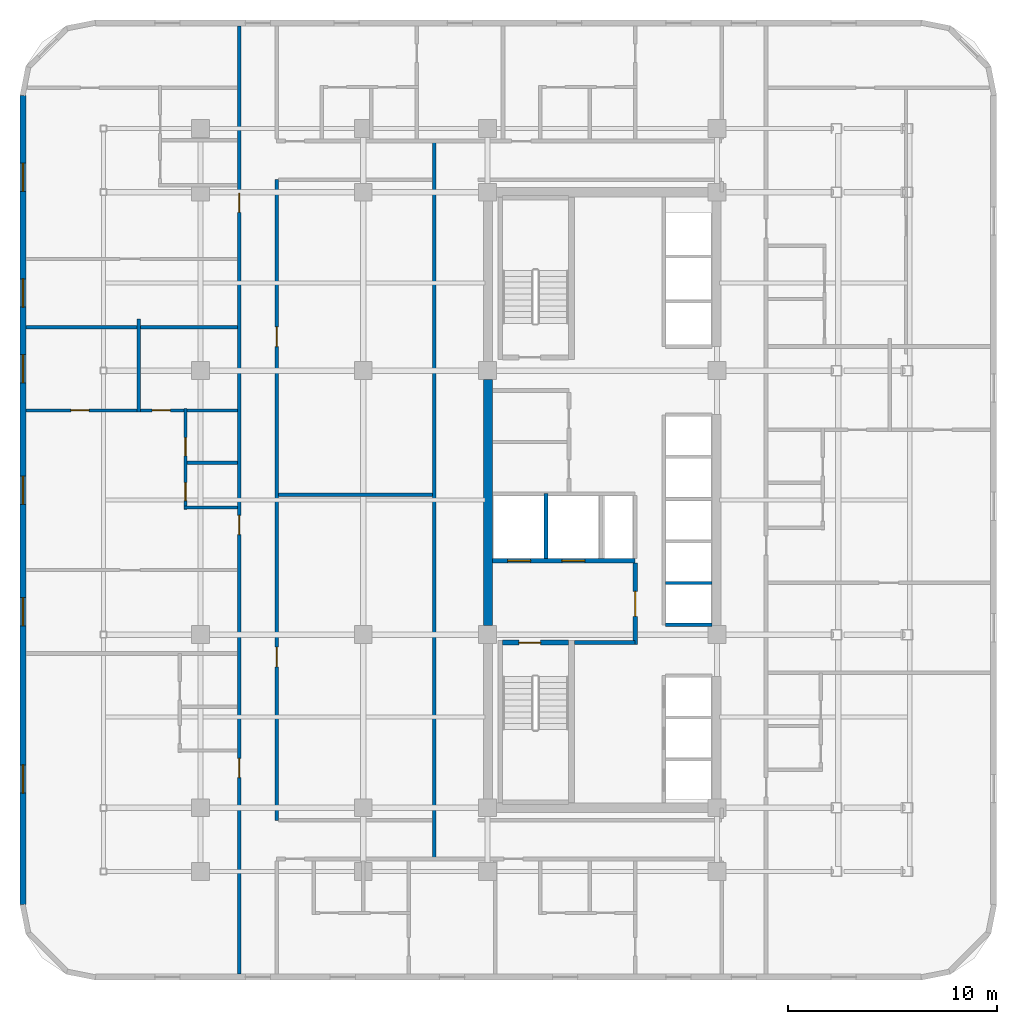
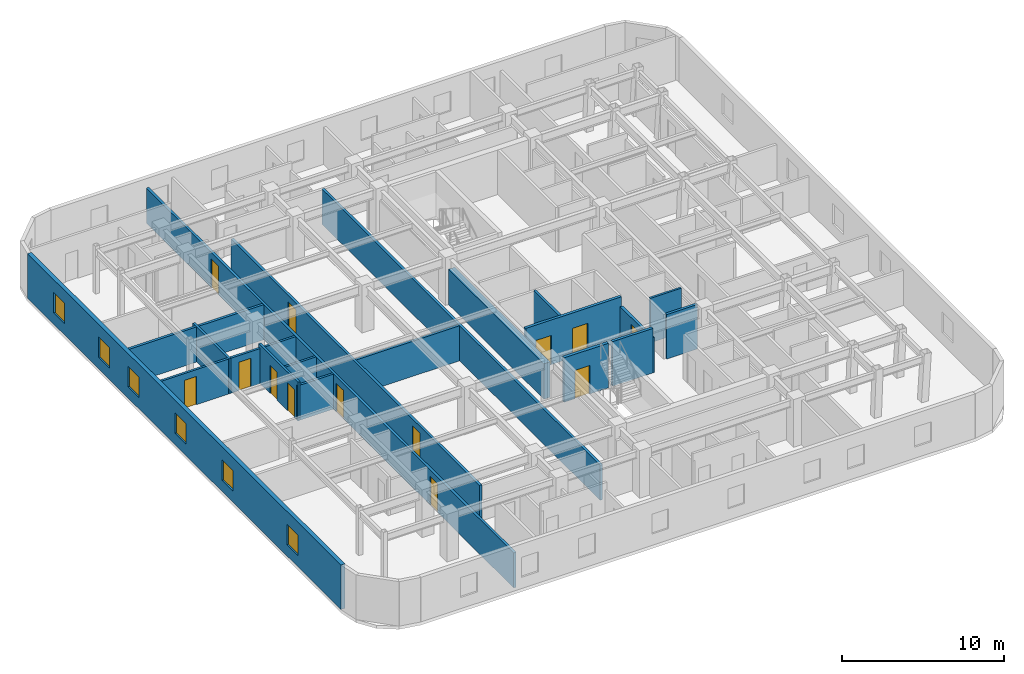
# One storey, part 7 of 12: 19 walls, 13 doors, 6 windows, 19 openings.
"""IFC4 building model written with IfcOpenShell, lengths in metres."""

import ifcopenshell
import ifcopenshell.guid

model = None  # the IFC model being written
_history = None  # IfcOwnerHistory: only IFC2X3 demands one
_inside = {}  # id of a spatial element -> (the spatial element, [elements in it])
_under = {}  # id of a project, library or spatial element -> (it, [spatial elements below it])
_declared = {}  # id of a project -> (the project, [libraries it declares])
_typed = {}  # id of a type object -> (the type object, [elements of that type])
_made_of = {}  # id of a material, layer set ... -> (it, [elements and type objects made of it])


def new_model(schema):
    """Start an empty IFC model of exactly this schema.

    Asked for "IFC4X3", IfcOpenShell would pick the latest addendum, in which some entities
    have other attributes; the version numbers below select the first issue.
    IFC2X3 requires an IfcOwnerHistory on every rooted entity: one is made here for all.
    """
    global model, _history
    if schema == "IFC4X3":
        model = ifcopenshell.file(schema_version=(4, 3, 0, 0))
    else:
        model = ifcopenshell.file(schema=schema)
    _inside.clear()
    _under.clear()
    _declared.clear()
    _typed.clear()
    _made_of.clear()
    _history = None
    if model.schema == "IFC2X3":
        org = make("IfcOrganization", Name="unknown")
        user = make(
            "IfcPersonAndOrganization",
            ThePerson=make("IfcPerson", FamilyName="unknown"),
            TheOrganization=org,
        )
        app = make(
            "IfcApplication",
            ApplicationDeveloper=org,
            Version="unknown",
            ApplicationFullName="unknown",
            ApplicationIdentifier="unknown",
        )
        _history = make(
            "IfcOwnerHistory",
            OwningUser=user,
            OwningApplication=app,
            ChangeAction="ADDED",
            CreationDate=0,
        )
    return model


def make(cls, **values):
    """One entity of the class cls with the attributes given. An attribute that is None is left unset."""
    return model.create_entity(
        cls, **{name: value for name, value in values.items() if value is not None}
    )


def rooted(cls, **values):
    """An entity with a GlobalId (a new one), such as an element, a storey or a relation."""
    return make(cls, GlobalId=ifcopenshell.guid.new(), OwnerHistory=_history, **values)


def si_unit(unit_type, name, prefix=None):
    """IfcSIUnit, for example si_unit("LENGTHUNIT", "METRE", prefix="MILLI")."""
    return make("IfcSIUnit", UnitType=unit_type, Prefix=prefix, Name=name)


def assignment(units):
    """IfcUnitAssignment: the units of a project."""
    return None if units is None else make("IfcUnitAssignment", Units=units)


def point(xyz):
    """IfcCartesianPoint."""
    return None if xyz is None else make("IfcCartesianPoint", Coordinates=xyz)


def direction(xyz):
    """IfcDirection."""
    return None if xyz is None else make("IfcDirection", DirectionRatios=xyz)


def frame(location, z_axis=None, x_axis=None):
    """IfcAxis2Placement3D, a coordinate frame: its origin and axes. An axis left out is left unset."""
    return make(
        "IfcAxis2Placement3D",
        Location=point(location),
        Axis=direction(z_axis),
        RefDirection=direction(x_axis),
    )


def frame_2d(location, x_axis=None):
    """IfcAxis2Placement2D, a coordinate frame in the plane: its origin and x axis."""
    return make(
        "IfcAxis2Placement2D", Location=point(location), RefDirection=direction(x_axis)
    )


def origin():
    """The frame at (0, 0, 0) with its axes left unset."""
    return frame((0.0, 0.0, 0.0))


def place(relative_to, where):
    """IfcLocalPlacement: puts the frame where relative to a parent placement (None: the world)."""
    return make(
        "IfcLocalPlacement", PlacementRelTo=relative_to, RelativePlacement=where
    )


def context(
    kind, dimensions, precision=None, world=None, true_north=None, identifier=None
):
    """IfcGeometricRepresentationContext, for example the 3D "Model" context."""
    return make(
        "IfcGeometricRepresentationContext",
        ContextIdentifier=identifier,
        ContextType=kind,
        CoordinateSpaceDimension=dimensions,
        Precision=precision,
        WorldCoordinateSystem=world,
        TrueNorth=true_north,
    )


def subcontext(parent, identifier, kind, view, scale=None):
    """IfcGeometricRepresentationSubContext, for example "Body" below "Model"."""
    return make(
        "IfcGeometricRepresentationSubContext",
        ContextIdentifier=identifier,
        ContextType=kind,
        ParentContext=parent,
        TargetScale=scale,
        TargetView=view,
    )


def project(units=None, contexts=None):
    """IfcProject with its units and contexts."""
    return rooted(
        "IfcProject",
        Name="project",
        RepresentationContexts=contexts,
        UnitsInContext=assignment(units),
    )


def spatial(cls, under=None, at=None, **own):
    """A site, building, storey or space (cls), placed at a placement, below another one or the project."""
    s = rooted(cls, ObjectPlacement=at, **own)
    if under is not None:
        _under.setdefault(under.id(), (under, []))[1].append(s)
    return s


def profile(cls, at=None, kind="AREA", **sizes):
    """A parametric profile (cls). Its sizes go by their IFC names, for example OverallWidth=200.0."""
    return make(cls, ProfileType=kind, Position=at, **sizes)


def rectangle(**sizes):
    """IfcRectangleProfileDef."""
    return profile("IfcRectangleProfileDef", **sizes)


def extrude(swept, where, along, depth):
    """IfcExtrudedAreaSolid: the profile swept, set in the frame where, extruded along a direction by depth."""
    return make(
        "IfcExtrudedAreaSolid",
        SweptArea=swept,
        Position=where,
        ExtrudedDirection=direction(along),
        Depth=depth,
    )


def shape(context_of_items, identifier, shape_type, items):
    """IfcShapeRepresentation: the items that make up one representation, for example the "Body"."""
    return make(
        "IfcShapeRepresentation",
        ContextOfItems=context_of_items,
        RepresentationIdentifier=identifier,
        RepresentationType=shape_type,
        Items=items,
    )


def material(Name=None, Category=None):
    """IfcMaterial."""
    return make("IfcMaterial", Name=Name, Category=Category)


def layer(
    of_material, thickness, ventilated=None, Name=None, Category=None, Priority=None
):
    """IfcMaterialLayer: one layer of a wall or slab, of a material (None: an air gap)."""
    return make(
        "IfcMaterialLayer",
        Material=of_material,
        LayerThickness=thickness,
        IsVentilated=ventilated,
        Name=Name,
        Category=Category,
        Priority=Priority,
    )


def layer_set(layers, Name=None):
    """IfcMaterialLayerSet."""
    return make("IfcMaterialLayerSet", MaterialLayers=layers, LayerSetName=Name)


def made_of(thing, what):
    """Note that an element or type object is made of a material, layer set ...; save() writes the relation."""
    if what is not None:
        _made_of.setdefault(what.id(), (what, []))[1].append(thing)
    return thing


def type_object(cls, material=None, **own):
    """A type object (cls), such as IfcWallType, which elements share."""
    return made_of(rooted(cls, **own), material)


def element(
    cls,
    number,
    at=None,
    inside=None,
    cuts=None,
    type_object=None,
    material=None,
    context=None,
    identifier="Body",
    shape_type=None,
    held_by="IfcProductDefinitionShape",
    body=None,
    shapes=None,
    **own,
):
    """One element of the class cls, such as IfcWall. Its Tag is "e" and its number.

    at: its placement. inside: the storey or other place that contains it. cuts: it is an
    opening in that element (IfcRelVoidsElement). A single representation is given by context,
    identifier, shape_type and body (its items); several are given by shapes. held_by: the class
    of the entity that holds the representations. save() writes the other relations.
    """
    e = rooted(cls, Tag="e%d" % number, ObjectPlacement=at, **own)
    if body is not None:
        shapes = [shape(context, identifier, shape_type, body)]
    if shapes is not None:
        e.Representation = make(held_by, Representations=shapes)
    if inside is not None:
        _inside.setdefault(inside.id(), (inside, []))[1].append(e)
    if cuts is not None:
        rooted(
            "IfcRelVoidsElement", RelatingBuildingElement=cuts, RelatedOpeningElement=e
        )
    if type_object is not None:
        _typed.setdefault(type_object.id(), (type_object, []))[1].append(e)
    return made_of(e, material)


def fill(opening, filler):
    """IfcRelFillsElement: the door or window that sits in an opening."""
    return rooted(
        "IfcRelFillsElement",
        RelatingOpeningElement=opening,
        RelatedBuildingElement=filler,
    )


def aggregate(whole, parts):
    """IfcRelAggregates: a whole, such as a stair, and the parts it consists of."""
    return rooted("IfcRelAggregates", RelatingObject=whole, RelatedObjects=parts)


def save(model, path):
    """Write the relations noted so far, then the file.

    IfcRelAggregates (storeys below a building ...), IfcRelContainedInSpatialStructure (elements
    in a storey), IfcRelDefinesByType, IfcRelAssociatesMaterial and IfcRelDeclares: one each for
    every whole, place, type object, material and project.
    """
    for whole, parts in _under.values():
        aggregate(whole, parts)
    for where, things in _inside.values():
        rooted(
            "IfcRelContainedInSpatialStructure",
            RelatedElements=things,
            RelatingStructure=where,
        )
    for kind, things in _typed.values():
        rooted("IfcRelDefinesByType", RelatedObjects=things, RelatingType=kind)
    for what, things in _made_of.values():
        rooted("IfcRelAssociatesMaterial", RelatedObjects=things, RelatingMaterial=what)
    for by, libraries in _declared.values():
        rooted("IfcRelDeclares", RelatingContext=by, RelatedDefinitions=libraries)
    model.write(path)


model = new_model("IFC4")

# Units and contexts
model_context = context("Model", 3, precision=1e-05, world=origin(), true_north=direction((0.0, 1.0)))
body_context = subcontext(model_context, "Body", "Model", "MODEL_VIEW")
ifc_project = project(units=[si_unit("LENGTHUNIT", "METRE"), si_unit("AREAUNIT", "SQUARE_METRE"), si_unit("VOLUMEUNIT", "CUBIC_METRE"), si_unit("PLANEANGLEUNIT", "RADIAN"), si_unit("MASSUNIT", "GRAM", prefix="KILO")], contexts=[model_context])

# Site, building, storey
site_placement = place(None, origin())
site = spatial("IfcSite", under=ifc_project, at=site_placement, CompositionType="ELEMENT")
building_placement = place(site_placement, origin())
building = spatial("IfcBuilding", under=site, at=building_placement, Name="Ochreholt Gables", CompositionType="ELEMENT")
storey_placement = place(building_placement, frame((0.0, 0.0, 27.60009765625)))
storey = spatial("IfcBuildingStorey", under=building, at=storey_placement, Name="L06", CompositionType="ELEMENT", Elevation=27.60009765625)

# Wall
ifc_material_1 = material(Name="Concrete 60 MPa", Category="concrete")
ifc_layer_1 = layer(ifc_material_1, 0.449951171875, Name="Concrete 60 MPa")
ifc_layer_set_1 = layer_set([ifc_layer_1], Name="Concrete 60 MPa")
wall_type_1 = type_object("IfcWallType", Name="WALL-CSW-450", PredefinedType="SHEAR", material=ifc_layer_set_1)
wall_1_placement = place(storey_placement, frame((24.22509765625, 17.97509765625, 0.0), z_axis=(0.0, 0.0, 1.0), x_axis=(0.0, 1.0, 0.0)))
element("IfcWall", 1, at=wall_1_placement, inside=storey, type_object=wall_type_1, Name="L06 Core West Shear Wall WM", PredefinedType="SHEAR", context=body_context, shape_type="SweptSolid", body=[
    extrude(rectangle(XDim=11.7998046875, YDim=0.449951171875, at=frame_2d((5.89990234375, 0.0))), origin(), (0.0, 0.0, 1.0), 2.6669921875),
])

# Wall, openings, windows
ifc_material_2 = material(Name="Precast concrete 40 MPa", Category="concrete")
ifc_layer_2 = layer(ifc_material_2, 0.2900390625, Name="Precast concrete 40 MPa")
ifc_layer_set_2 = layer_set([ifc_layer_2], Name="Precast concrete 40 MPa")
wall_type_2 = type_object("IfcWallType", Name="WALL-EXT-290", PredefinedType="SOLIDWALL", material=ifc_layer_set_2)
wall_2_placement = place(storey_placement, frame((1.945068359375, 43.3798828125, 0.0), z_axis=(0.0, 0.0, 1.0), x_axis=(0.0, -1.0, 0.0)))
wall_2 = element("IfcWall", 2, at=wall_2_placement, inside=storey, type_object=wall_type_2, Name="L06 West Exterior Wall", PredefinedType="SOLIDWALL", context=body_context, shape_type="SweptSolid", body=[
    extrude(rectangle(XDim=38.759765625, YDim=0.2900390625, at=frame_2d((19.3798828125, 0.0))), origin(), (0.0, 0.0, 1.0), 3.35986328125),
])
opening_1_placement = place(wall_2_placement, frame((32.074951171875, 0.0, 0.85009765625)))
opening_1 = element("IfcOpeningElement", 3, at=opening_1_placement, cuts=wall_2, Name="Opening WN-8", PredefinedType="OPENING", context=body_context, shape_type="SweptSolid", body=[
    extrude(rectangle(XDim=1.35009765625, YDim=1.550048828125, at=frame_2d((0.675048828125, 0.77490234375))), frame((0.0, 0.155029296875, 0.0), z_axis=(0.0, -1.0, 0.0), x_axis=(1.0, 0.0, 0.0)), (0.0, 0.0, 1.0), 0.31005859375),
])
opening_2_placement = place(wall_2_placement, frame((24.0634765625, 0.0, 0.85009765625)))
opening_2 = element("IfcOpeningElement", 4, at=opening_2_placement, cuts=wall_2, Name="Opening WN-8", PredefinedType="OPENING", context=body_context, shape_type="SweptSolid", body=[
    extrude(rectangle(XDim=1.35009765625, YDim=1.550048828125, at=frame_2d((0.675048828125, 0.77490234375))), frame((0.0, 0.155029296875, 0.0), z_axis=(0.0, -1.0, 0.0), x_axis=(1.0, 0.0, 0.0)), (0.0, 0.0, 1.0), 0.31005859375),
])
opening_3_placement = place(wall_2_placement, frame((18.23828125, 0.0, 0.85009765625)))
opening_3 = element("IfcOpeningElement", 5, at=opening_3_placement, cuts=wall_2, Name="Opening WN-8", PredefinedType="OPENING", context=body_context, shape_type="SweptSolid", body=[
    extrude(rectangle(XDim=1.35009765625, YDim=1.550048828125, at=frame_2d((0.675048828125, 0.77490234375))), frame((0.0, 0.155029296875, 0.0), z_axis=(0.0, -1.0, 0.0), x_axis=(1.0, 0.0, 0.0)), (0.0, 0.0, 1.0), 0.31005859375),
])
opening_4_placement = place(wall_2_placement, frame((12.419921875, 0.0, 0.85009765625)))
opening_4 = element("IfcOpeningElement", 6, at=opening_4_placement, cuts=wall_2, Name="Opening WN-8", PredefinedType="OPENING", context=body_context, shape_type="SweptSolid", body=[
    extrude(rectangle(XDim=1.35009765625, YDim=1.550048828125, at=frame_2d((0.675048828125, 0.77490234375))), frame((0.0, 0.155029296875, 0.0), z_axis=(0.0, -1.0, 0.0), x_axis=(1.0, 0.0, 0.0)), (0.0, 0.0, 1.0), 0.31005859375),
])
opening_5_placement = place(wall_2_placement, frame((8.7900390625, 0.0, 0.85009765625)))
opening_5 = element("IfcOpeningElement", 7, at=opening_5_placement, cuts=wall_2, Name="Opening WN-8", PredefinedType="OPENING", context=body_context, shape_type="SweptSolid", body=[
    extrude(rectangle(XDim=1.35009765625, YDim=1.550048828125, at=frame_2d((0.675048828125, 0.77490234375))), frame((0.0, 0.155029296875, 0.0), z_axis=(0.0, -1.0, 0.0), x_axis=(1.0, 0.0, 0.0)), (0.0, 0.0, 1.0), 0.31005859375),
])
opening_6_placement = place(wall_2_placement, frame((3.239990234375, 0.0, 0.85009765625)))
opening_6 = element("IfcOpeningElement", 8, at=opening_6_placement, cuts=wall_2, Name="Opening WN-8", PredefinedType="OPENING", context=body_context, shape_type="SweptSolid", body=[
    extrude(rectangle(XDim=1.35009765625, YDim=1.550048828125, at=frame_2d((0.675048828125, 0.77490234375))), frame((0.0, 0.155029296875, 0.0), z_axis=(0.0, -1.0, 0.0), x_axis=(1.0, 0.0, 0.0)), (0.0, 0.0, 1.0), 0.31005859375),
])
ifc_material_3 = material(Name="Triple-Glazed Thermally Broken Aluminium Window", Category="aluminium")
window_type = type_object("IfcWindowType", Name="WIN-RES-1350", PartitioningType="SINGLE_PANEL", PredefinedType="WINDOW", material=ifc_material_3)
window_1_placement = place(opening_1_placement, origin())
window_1 = element("IfcWindow", 9, at=window_1_placement, inside=storey, type_object=window_type, Name="L06 Window W-EXT-W-L06-1", OverallHeight=1.550048828125, OverallWidth=1.35009765625, PartitioningType="SINGLE_PANEL", PredefinedType="WINDOW", context=body_context, shape_type="SweptSolid", body=[
    extrude(rectangle(XDim=1.35009765625, YDim=1.550048828125, at=frame_2d((0.675048828125, 0.77490234375))), frame((0.0, 0.030029296875, 0.0), z_axis=(0.0, -1.0, 0.0), x_axis=(1.0, 0.0, 0.0)), (0.0, 0.0, 1.0), 0.06005859375),
])
fill(opening_1, window_1)
window_2_placement = place(opening_2_placement, origin())
window_2 = element("IfcWindow", 10, at=window_2_placement, inside=storey, type_object=window_type, Name="L06 Window W-EXT-W-L06-2", OverallHeight=1.550048828125, OverallWidth=1.35009765625, PartitioningType="SINGLE_PANEL", PredefinedType="WINDOW", context=body_context, shape_type="SweptSolid", body=[
    extrude(rectangle(XDim=1.35009765625, YDim=1.550048828125, at=frame_2d((0.675048828125, 0.77490234375))), frame((0.0, 0.030029296875, 0.0), z_axis=(0.0, -1.0, 0.0), x_axis=(1.0, 0.0, 0.0)), (0.0, 0.0, 1.0), 0.06005859375),
])
fill(opening_2, window_2)
window_3_placement = place(opening_3_placement, origin())
window_3 = element("IfcWindow", 11, at=window_3_placement, inside=storey, type_object=window_type, Name="L06 Window W-EXT-W-L06-3", OverallHeight=1.550048828125, OverallWidth=1.35009765625, PartitioningType="SINGLE_PANEL", PredefinedType="WINDOW", context=body_context, shape_type="SweptSolid", body=[
    extrude(rectangle(XDim=1.35009765625, YDim=1.550048828125, at=frame_2d((0.675048828125, 0.77490234375))), frame((0.0, 0.030029296875, 0.0), z_axis=(0.0, -1.0, 0.0), x_axis=(1.0, 0.0, 0.0)), (0.0, 0.0, 1.0), 0.06005859375),
])
fill(opening_3, window_3)
window_4_placement = place(opening_4_placement, origin())
window_4 = element("IfcWindow", 12, at=window_4_placement, inside=storey, type_object=window_type, Name="L06 Window W-EXT-W-L06-4", OverallHeight=1.550048828125, OverallWidth=1.35009765625, PartitioningType="SINGLE_PANEL", PredefinedType="WINDOW", context=body_context, shape_type="SweptSolid", body=[
    extrude(rectangle(XDim=1.35009765625, YDim=1.550048828125, at=frame_2d((0.675048828125, 0.77490234375))), frame((0.0, 0.030029296875, 0.0), z_axis=(0.0, -1.0, 0.0), x_axis=(1.0, 0.0, 0.0)), (0.0, 0.0, 1.0), 0.06005859375),
])
fill(opening_4, window_4)
window_5_placement = place(opening_5_placement, origin())
window_5 = element("IfcWindow", 13, at=window_5_placement, inside=storey, type_object=window_type, Name="L06 Window W-EXT-W-L06-5", OverallHeight=1.550048828125, OverallWidth=1.35009765625, PartitioningType="SINGLE_PANEL", PredefinedType="WINDOW", context=body_context, shape_type="SweptSolid", body=[
    extrude(rectangle(XDim=1.35009765625, YDim=1.550048828125, at=frame_2d((0.675048828125, 0.77490234375))), frame((0.0, 0.030029296875, 0.0), z_axis=(0.0, -1.0, 0.0), x_axis=(1.0, 0.0, 0.0)), (0.0, 0.0, 1.0), 0.06005859375),
])
fill(opening_5, window_5)
window_6_placement = place(opening_6_placement, origin())
window_6 = element("IfcWindow", 14, at=window_6_placement, inside=storey, type_object=window_type, Name="L06 Window W-EXT-W-L06-6", OverallHeight=1.550048828125, OverallWidth=1.35009765625, PartitioningType="SINGLE_PANEL", PredefinedType="WINDOW", context=body_context, shape_type="SweptSolid", body=[
    extrude(rectangle(XDim=1.35009765625, YDim=1.550048828125, at=frame_2d((0.675048828125, 0.77490234375))), frame((0.0, 0.030029296875, 0.0), z_axis=(0.0, -1.0, 0.0), x_axis=(1.0, 0.0, 0.0)), (0.0, 0.0, 1.0), 0.06005859375),
])
fill(opening_6, window_6)

# Wall, openings, doors
ifc_material_4 = material(Name="Concrete 40 MPa", Category="concrete")
ifc_layer_3 = layer(ifc_material_4, 0.199951171875, Name="Concrete 40 MPa")
ifc_layer_set_3 = layer_set([ifc_layer_3], Name="Concrete 40 MPa")
wall_type_3 = type_object("IfcWallType", Name="WALL-INT-CF200", PredefinedType="STANDARD", material=ifc_layer_set_3)
wall_3_placement = place(storey_placement, frame((24.449951171875, 21.090087890625, 0.0), z_axis=(0.0, 0.0, 1.0), x_axis=(1.0, 0.0, 0.0)))
wall_3 = element("IfcWall", 15, at=wall_3_placement, inside=storey, type_object=wall_type_3, Name="L06 Interior Wall WI-FFN-L06", PredefinedType="STANDARD", context=body_context, shape_type="SweptSolid", body=[
    extrude(rectangle(XDim=6.830078125, YDim=0.199951171875, at=frame_2d((3.4150390625, 0.0))), origin(), (0.0, 0.0, 1.0), 3.35986328125),
])
opening_7_placement = place(wall_3_placement, frame((0.719970703125, 0.0, 0.0)))
opening_7 = element("IfcOpeningElement", 16, at=opening_7_placement, cuts=wall_3, Name="Opening LD-FF", PredefinedType="OPENING", context=body_context, shape_type="SweptSolid", body=[
    extrude(rectangle(XDim=1.10009765625, YDim=2.199951171875, at=frame_2d((0.550048828125, 1.10009765625))), frame((0.0, 0.10986328125, 0.0), z_axis=(0.0, -1.0, 0.0), x_axis=(1.0, 0.0, 0.0)), (0.0, 0.0, 1.0), 0.219970703125),
])
opening_8_placement = place(wall_3_placement, frame((3.320068359375, 0.0, 0.0)))
opening_8 = element("IfcOpeningElement", 17, at=opening_8_placement, cuts=wall_3, Name="Opening LD-FF", PredefinedType="OPENING", context=body_context, shape_type="SweptSolid", body=[
    extrude(rectangle(XDim=1.10009765625, YDim=2.199951171875, at=frame_2d((0.550048828125, 1.10009765625))), frame((0.0, 0.10986328125, 0.0), z_axis=(0.0, -1.0, 0.0), x_axis=(1.0, 0.0, 0.0)), (0.0, 0.0, 1.0), 0.219970703125),
])
ifc_material_5 = material(Name="Stainless Steel", Category="steel")
door_type_1 = type_object("IfcDoorType", Name="DR-LFT-FF1100", OperationType="NOTDEFINED", PredefinedType="DOOR", material=ifc_material_5)
door_1_placement = place(opening_7_placement, origin())
door_1 = element("IfcDoor", 18, at=door_1_placement, inside=storey, type_object=door_type_1, Name="L06 Door LD-FF1-L06", OperationType="SLIDING_TO_LEFT", OverallHeight=2.199951171875, OverallWidth=1.10009765625, PredefinedType="DOOR", context=body_context, shape_type="SweptSolid", body=[
    extrude(rectangle(XDim=1.10009765625, YDim=2.199951171875, at=frame_2d((0.550048828125, 1.10009765625))), frame((0.0, 0.02490234375, 0.0), z_axis=(0.0, -1.0, 0.0), x_axis=(1.0, 0.0, 0.0)), (0.0, 0.0, 1.0), 0.050048828125),
])
fill(opening_7, door_1)
door_2_placement = place(opening_8_placement, origin())
door_2 = element("IfcDoor", 19, at=door_2_placement, inside=storey, type_object=door_type_1, Name="L06 Door LD-FF2-L06", OperationType="SLIDING_TO_LEFT", OverallHeight=2.199951171875, OverallWidth=1.10009765625, PredefinedType="DOOR", context=body_context, shape_type="SweptSolid", body=[
    extrude(rectangle(XDim=1.10009765625, YDim=2.199951171875, at=frame_2d((0.550048828125, 1.10009765625))), frame((0.0, 0.02490234375, 0.0), z_axis=(0.0, -1.0, 0.0), x_axis=(1.0, 0.0, 0.0)), (0.0, 0.0, 1.0), 0.050048828125),
])
fill(opening_8, door_2)

# Wall
wall_4_placement = place(storey_placement, frame((28.3798828125, 17.169921875, 0.0), z_axis=(0.0, 0.0, 1.0), x_axis=(1.0, 0.0, 0.0)))
element("IfcWall", 20, at=wall_4_placement, inside=storey, type_object=wall_type_3, Name="L06 Interior Wall WI-FFS-L06", PredefinedType="STANDARD", context=body_context, shape_type="SweptSolid", body=[
    extrude(rectangle(XDim=2.900146484375, YDim=0.199951171875, at=frame_2d((1.4501953125, 0.0))), origin(), (0.0, 0.0, 1.0), 3.35986328125),
])

# Wall, opening, door
wall_5_placement = place(storey_placement, frame((31.280029296875, 17.070068359375, 0.0), z_axis=(0.0, 0.0, 1.0), x_axis=(0.0, 1.0, 0.0)))
wall_5 = element("IfcWall", 21, at=wall_5_placement, inside=storey, type_object=wall_type_3, Name="L06 Interior Wall WI-FFE-L06", PredefinedType="STANDARD", context=body_context, shape_type="SweptSolid", body=[
    extrude(rectangle(XDim=3.919921875, YDim=0.199951171875, at=frame_2d((1.9599609375, 0.0))), origin(), (0.0, 0.0, 1.0), 2.64892578125),
])
opening_9_placement = place(wall_5_placement, frame((1.35009765625, 0.0, 0.0)))
opening_9 = element("IfcOpeningElement", 22, at=opening_9_placement, cuts=wall_5, Name="Opening D-FFL", PredefinedType="OPENING", context=body_context, shape_type="SweptSolid", body=[
    extrude(rectangle(XDim=1.199951171875, YDim=2.14990234375, at=frame_2d((0.60009765625, 1.074951171875))), frame((0.0, 0.10986328125, 0.0), z_axis=(0.0, -1.0, 0.0), x_axis=(1.0, 0.0, 0.0)), (0.0, 0.0, 1.0), 0.219970703125),
])
ifc_material_6 = material(Name="Hollow Metal Steel", Category="steel")
door_type_2 = type_object("IfcDoorType", Name="DR-INT-FFL1200", OperationType="NOTDEFINED", PredefinedType="DOOR", material=ifc_material_6)
door_3_placement = place(opening_9_placement, origin())
door_3 = element("IfcDoor", 23, at=door_3_placement, inside=storey, type_object=door_type_2, Name="L06 Door D-FFL-L06", OperationType="SINGLE_SWING_LEFT", OverallHeight=2.14990234375, OverallWidth=1.199951171875, PredefinedType="DOOR", context=body_context, shape_type="SweptSolid", body=[
    extrude(rectangle(XDim=1.199951171875, YDim=2.14990234375, at=frame_2d((0.60009765625, 1.074951171875))), frame((0.0, 0.02490234375, 0.0), z_axis=(0.0, -1.0, 0.0), x_axis=(1.0, 0.0, 0.0)), (0.0, 0.0, 1.0), 0.050048828125),
])
fill(opening_9, door_3)

# Wall
ifc_material_7 = material(Name="Fire-Rated Gypsum Acoustic Partition", Category="gypsum")
ifc_layer_4 = layer(ifc_material_7, 0.179931640625, Name="Fire-Rated Gypsum Acoustic Partition")
ifc_layer_set_4 = layer_set([ifc_layer_4], Name="Fire-Rated Gypsum Acoustic Partition")
wall_type_4 = type_object("IfcWallType", Name="WALL-INT-CR180", PredefinedType="STANDARD", material=ifc_layer_set_4)
wall_6_placement = place(storey_placement, frame((21.64990234375, 6.800048828125, 0.0), z_axis=(0.0, 0.0, 1.0), x_axis=(0.0, 1.0, 0.0)))
element("IfcWall", 24, at=wall_6_placement, inside=storey, type_object=wall_type_4, Name="L06 Interior Wall WI-C1W-L06", PredefinedType="STANDARD", context=body_context, shape_type="SweptSolid", body=[
    extrude(rectangle(XDim=34.39990234375, YDim=0.179931640625, at=frame_2d((17.199951171875, 0.0))), origin(), (0.0, 0.0, 1.0), 2.64892578125),
])

# Wall, openings, doors
wall_7_placement = place(storey_placement, frame((12.300048828125, 1.2900390625, 0.0), z_axis=(0.0, 0.0, 1.0), x_axis=(0.0, 1.0, 0.0)))
wall_7 = element("IfcWall", 25, at=wall_7_placement, inside=storey, type_object=wall_type_4, Name="L06 Interior Wall WI-C1WW-L06", PredefinedType="STANDARD", context=body_context, shape_type="SweptSolid", body=[
    extrude(rectangle(XDim=45.419921875, YDim=0.179931640625, at=frame_2d((22.7099609375, 0.0))), origin(), (0.0, 0.0, 1.0), 2.64892578125),
])
opening_10_placement = place(wall_7_placement, frame((9.409912109375, 0.0, 0.0)))
opening_10 = element("IfcOpeningElement", 26, at=opening_10_placement, cuts=wall_7, Name="Opening D-UN1", PredefinedType="OPENING", context=body_context, shape_type="SweptSolid", body=[
    extrude(rectangle(XDim=0.919921875, YDim=2.14990234375, at=frame_2d((0.4599609375, 1.074951171875))), frame((0.0, 0.099853515625, 0.0), z_axis=(0.0, -1.0, 0.0), x_axis=(1.0, 0.0, 0.0)), (0.0, 0.0, 1.0), 0.199951171875),
])
opening_11_placement = place(wall_7_placement, frame((21.050048828125, 0.0, 0.0)))
opening_11 = element("IfcOpeningElement", 27, at=opening_11_placement, cuts=wall_7, Name="Opening D-UN1", PredefinedType="OPENING", context=body_context, shape_type="SweptSolid", body=[
    extrude(rectangle(XDim=0.919921875, YDim=2.14990234375, at=frame_2d((0.4599609375, 1.074951171875))), frame((0.0, 0.099853515625, 0.0), z_axis=(0.0, -1.0, 0.0), x_axis=(1.0, 0.0, 0.0)), (0.0, 0.0, 1.0), 0.199951171875),
])
opening_12_placement = place(wall_7_placement, frame((36.491455078125, 0.0, 0.0)))
opening_12 = element("IfcOpeningElement", 28, at=opening_12_placement, cuts=wall_7, Name="Opening D-UN1", PredefinedType="OPENING", context=body_context, shape_type="SweptSolid", body=[
    extrude(rectangle(XDim=0.919921875, YDim=2.14990234375, at=frame_2d((0.4599609375, 1.074951171875))), frame((0.0, 0.099853515625, 0.0), z_axis=(0.0, -1.0, 0.0), x_axis=(1.0, 0.0, 0.0)), (0.0, 0.0, 1.0), 0.199951171875),
])
ifc_material_8 = material(Name="Engineered Oak Timber", Category="wood")
door_type_3 = type_object("IfcDoorType", Name="DR-INT-UNT920", OperationType="NOTDEFINED", PredefinedType="DOOR", material=ifc_material_8)
door_4_placement = place(opening_10_placement, origin())
door_4 = element("IfcDoor", 29, at=door_4_placement, inside=storey, type_object=door_type_3, Name="L06 Door D-U-L06W1-ENT", OperationType="SINGLE_SWING_LEFT", OverallHeight=2.14990234375, OverallWidth=0.919921875, PredefinedType="DOOR", context=body_context, shape_type="SweptSolid", body=[
    extrude(rectangle(XDim=0.919921875, YDim=2.14990234375, at=frame_2d((0.4599609375, 1.074951171875))), frame((0.0, 0.02490234375, 0.0), z_axis=(0.0, -1.0, 0.0), x_axis=(1.0, 0.0, 0.0)), (0.0, 0.0, 1.0), 0.050048828125),
])
fill(opening_10, door_4)
door_5_placement = place(opening_11_placement, origin())
door_5 = element("IfcDoor", 30, at=door_5_placement, inside=storey, type_object=door_type_3, Name="L06 Door D-U-L06W2-ENT", OperationType="SINGLE_SWING_RIGHT", OverallHeight=2.14990234375, OverallWidth=0.919921875, PredefinedType="DOOR", context=body_context, shape_type="SweptSolid", body=[
    extrude(rectangle(XDim=0.919921875, YDim=2.14990234375, at=frame_2d((0.4599609375, 1.074951171875))), frame((0.0, 0.02490234375, 0.0), z_axis=(0.0, -1.0, 0.0), x_axis=(1.0, 0.0, 0.0)), (0.0, 0.0, 1.0), 0.050048828125),
])
fill(opening_11, door_5)
door_6_placement = place(opening_12_placement, origin())
door_6 = element("IfcDoor", 31, at=door_6_placement, inside=storey, type_object=door_type_3, Name="L06 Door D-U-L06W3-ENT", OperationType="SINGLE_SWING_LEFT", OverallHeight=2.14990234375, OverallWidth=0.919921875, PredefinedType="DOOR", context=body_context, shape_type="SweptSolid", body=[
    extrude(rectangle(XDim=0.919921875, YDim=2.14990234375, at=frame_2d((0.4599609375, 1.074951171875))), frame((0.0, 0.02490234375, 0.0), z_axis=(0.0, -1.0, 0.0), x_axis=(1.0, 0.0, 0.0)), (0.0, 0.0, 1.0), 0.050048828125),
])
fill(opening_12, door_6)

wall_8_placement = place(storey_placement, frame((14.10009765625, 8.64990234375, 0.0), z_axis=(0.0, 0.0, 1.0), x_axis=(0.0, 1.0, 0.0)))
wall_8 = element("IfcWall", 32, at=wall_8_placement, inside=storey, type_object=wall_type_4, Name="L06 Interior Wall WI-C1WE-L06", PredefinedType="STANDARD", context=body_context, shape_type="SweptSolid", body=[
    extrude(rectangle(XDim=30.7001953125, YDim=0.179931640625, at=frame_2d((15.35009765625, 0.0))), origin(), (0.0, 0.0, 1.0), 2.64892578125),
])
opening_13_placement = place(wall_8_placement, frame((7.35009765625, 0.0, 0.0)))
opening_13 = element("IfcOpeningElement", 33, at=opening_13_placement, cuts=wall_8, Name="Opening D-GN1", PredefinedType="OPENING", context=body_context, shape_type="SweptSolid", body=[
    extrude(rectangle(XDim=0.949951171875, YDim=2.14990234375, at=frame_2d((0.47509765625, 1.074951171875))), frame((0.0, 0.099853515625, 0.0), z_axis=(0.0, -1.0, 0.0), x_axis=(1.0, 0.0, 0.0)), (0.0, 0.0, 1.0), 0.199951171875),
])
opening_14_placement = place(wall_8_placement, frame((22.699951171875, 0.0, 0.0)))
opening_14 = element("IfcOpeningElement", 34, at=opening_14_placement, cuts=wall_8, Name="Opening D-GN1", PredefinedType="OPENING", context=body_context, shape_type="SweptSolid", body=[
    extrude(rectangle(XDim=0.949951171875, YDim=2.14990234375, at=frame_2d((0.47509765625, 1.074951171875))), frame((0.0, 0.099853515625, 0.0), z_axis=(0.0, -1.0, 0.0), x_axis=(1.0, 0.0, 0.0)), (0.0, 0.0, 1.0), 0.199951171875),
])
door_type_4 = type_object("IfcDoorType", Name="DR-INT-GEN950", OperationType="NOTDEFINED", PredefinedType="DOOR", material=ifc_material_8)
door_7_placement = place(opening_13_placement, origin())
door_7 = element("IfcDoor", 35, at=door_7_placement, inside=storey, type_object=door_type_4, Name="L06 Door D-C1IW1-L06", OperationType="SINGLE_SWING_LEFT", OverallHeight=2.14990234375, OverallWidth=0.949951171875, PredefinedType="DOOR", context=body_context, shape_type="SweptSolid", body=[
    extrude(rectangle(XDim=0.949951171875, YDim=2.14990234375, at=frame_2d((0.47509765625, 1.074951171875))), frame((0.0, 0.02490234375, 0.0), z_axis=(0.0, -1.0, 0.0), x_axis=(1.0, 0.0, 0.0)), (0.0, 0.0, 1.0), 0.050048828125),
])
fill(opening_13, door_7)
door_8_placement = place(opening_14_placement, origin())
door_8 = element("IfcDoor", 36, at=door_8_placement, inside=storey, type_object=door_type_4, Name="L06 Door D-C1IW2-L06", OperationType="SINGLE_SWING_RIGHT", OverallHeight=2.14990234375, OverallWidth=0.949951171875, PredefinedType="DOOR", context=body_context, shape_type="SweptSolid", body=[
    extrude(rectangle(XDim=0.949951171875, YDim=2.14990234375, at=frame_2d((0.47509765625, 1.074951171875))), frame((0.0, 0.02490234375, 0.0), z_axis=(0.0, -1.0, 0.0), x_axis=(1.0, 0.0, 0.0)), (0.0, 0.0, 1.0), 0.050048828125),
])
fill(opening_14, door_8)

# Walls
ifc_material_9 = material(Name="Double-Stud Acoustic Demising Wall", Category="gypsum")
ifc_layer_5 = layer(ifc_material_9, 0.179931640625, Name="Double-Stud Acoustic Demising Wall")
ifc_layer_set_5 = layer_set([ifc_layer_5], Name="Double-Stud Acoustic Demising Wall")
wall_type_5 = type_object("IfcWallType", Name="WALL-INT-DM180", PredefinedType="PARTITIONING", material=ifc_layer_set_5)
wall_9_placement = place(storey_placement, frame((2.090087890625, 32.280029296875, 0.0), z_axis=(0.0, 0.0, 1.0), x_axis=(1.0, 0.0, 0.0)))
element("IfcWall", 37, at=wall_9_placement, inside=storey, type_object=wall_type_5, Name="L06 Interior Wall WI-UDW3-L06", PredefinedType="PARTITIONING", context=body_context, shape_type="SweptSolid", body=[
    extrude(rectangle(XDim=10.119873046875, YDim=0.179931640625, at=frame_2d((5.06005859375, 0.0))), origin(), (0.0, 0.0, 1.0), 2.64892578125),
])
ifc_material_10 = material(Name="Moisture-Resistant Plumbing Chase Wall", Category="gypsum")
ifc_layer_6 = layer(ifc_material_10, 0.159912109375, Name="Moisture-Resistant Plumbing Chase Wall")
ifc_layer_set_6 = layer_set([ifc_layer_6], Name="Moisture-Resistant Plumbing Chase Wall")
wall_type_6 = type_object("IfcWallType", Name="WALL-INT-PL160", PredefinedType="PLUMBINGWALL", material=ifc_layer_set_6)
wall_10_placement = place(storey_placement, frame((9.64990234375, 23.639892578125, 0.0), z_axis=(0.0, 0.0, 1.0), x_axis=(1.0, 0.0, 0.0)))
element("IfcWall", 38, at=wall_10_placement, inside=storey, type_object=wall_type_6, Name="L06 Interior Wall WU-L06W2-FYS", PredefinedType="PLUMBINGWALL", context=body_context, shape_type="SweptSolid", body=[
    extrude(rectangle(XDim=2.56005859375, YDim=0.159912109375, at=frame_2d((1.280029296875, 0.0))), origin(), (0.0, 0.0, 1.0), 2.64892578125),
])

# Wall, openings, doors
wall_11_placement = place(storey_placement, frame((9.72998046875, 23.550048828125, 0.0), z_axis=(0.0, 0.0, 1.0), x_axis=(0.0, 1.0, 0.0)))
wall_11 = element("IfcWall", 39, at=wall_11_placement, inside=storey, type_object=wall_type_6, Name="L06 Interior Wall WU-L06W2-WX", PredefinedType="PLUMBINGWALL", context=body_context, shape_type="SweptSolid", body=[
    extrude(rectangle(XDim=4.829833984375, YDim=0.159912109375, at=frame_2d((2.4150390625, 0.0))), origin(), (0.0, 0.0, 1.0), 2.931884765625),
])
opening_15_placement = place(wall_11_placement, frame((0.419921875, 0.0, 0.0)))
opening_15 = element("IfcOpeningElement", 40, at=opening_15_placement, cuts=wall_11, Name="Opening D-BT1", PredefinedType="OPENING", context=body_context, shape_type="SweptSolid", body=[
    extrude(rectangle(XDim=0.860107421875, YDim=2.1201171875, at=frame_2d((0.43017578125, 1.06005859375))), frame((0.0, 0.08984375, 0.0), z_axis=(0.0, -1.0, 0.0), x_axis=(1.0, 0.0, 0.0)), (0.0, 0.0, 1.0), 0.179931640625),
])
opening_16_placement = place(wall_11_placement, frame((2.55908203125, 0.0, 0.0)))
opening_16 = element("IfcOpeningElement", 41, at=opening_16_placement, cuts=wall_11, Name="Opening D-GN2", PredefinedType="OPENING", context=body_context, shape_type="SweptSolid", body=[
    extrude(rectangle(XDim=0.8798828125, YDim=2.1201171875, at=frame_2d((0.43994140625, 1.06005859375))), frame((0.0, 0.08984375, 0.0), z_axis=(0.0, -1.0, 0.0), x_axis=(1.0, 0.0, 0.0)), (0.0, 0.0, 1.0), 0.179931640625),
])
door_type_5 = type_object("IfcDoorType", Name="DR-INT-BTH860", OperationType="NOTDEFINED", PredefinedType="DOOR", material=ifc_material_8)
door_9_placement = place(opening_15_placement, origin())
door_9 = element("IfcDoor", 42, at=door_9_placement, inside=storey, type_object=door_type_5, Name="L06 Door D-U-L06W2-BTH", OperationType="SINGLE_SWING_LEFT", OverallHeight=2.1201171875, OverallWidth=0.860107421875, PredefinedType="DOOR", context=body_context, shape_type="SweptSolid", body=[
    extrude(rectangle(XDim=0.860107421875, YDim=2.1201171875, at=frame_2d((0.43017578125, 1.06005859375))), frame((0.0, 0.02490234375, 0.0), z_axis=(0.0, -1.0, 0.0), x_axis=(1.0, 0.0, 0.0)), (0.0, 0.0, 1.0), 0.050048828125),
])
fill(opening_15, door_9)
door_type_6 = type_object("IfcDoorType", Name="DR-INT-GEN880", OperationType="NOTDEFINED", PredefinedType="DOOR", material=ifc_material_8)
door_10_placement = place(opening_16_placement, origin())
door_10 = element("IfcDoor", 43, at=door_10_placement, inside=storey, type_object=door_type_6, Name="L06 Door D-U-L06W2-KIT", OperationType="SINGLE_SWING_RIGHT", OverallHeight=2.1201171875, OverallWidth=0.8798828125, PredefinedType="DOOR", context=body_context, shape_type="SweptSolid", body=[
    extrude(rectangle(XDim=0.8798828125, YDim=2.1201171875, at=frame_2d((0.43994140625, 1.06005859375))), frame((0.0, 0.02490234375, 0.0), z_axis=(0.0, -1.0, 0.0), x_axis=(1.0, 0.0, 0.0)), (0.0, 0.0, 1.0), 0.050048828125),
])
fill(opening_16, door_10)

# Wall
wall_12_placement = place(storey_placement, frame((9.81005859375, 25.779052734375, 0.0), z_axis=(0.0, 0.0, 1.0), x_axis=(1.0, 0.0, 0.0)))
element("IfcWall", 44, at=wall_12_placement, inside=storey, type_object=wall_type_6, Name="L06 Interior Wall WU-L06W2-WK", PredefinedType="PLUMBINGWALL", context=body_context, shape_type="SweptSolid", body=[
    extrude(rectangle(XDim=2.39990234375, YDim=0.159912109375, at=frame_2d((1.199951171875, 0.0))), origin(), (0.0, 0.0, 1.0), 2.64892578125),
])

# Wall, openings, doors
ifc_material_11 = material(Name="Gypsum Acoustic Stud Partition", Category="gypsum")
ifc_layer_7 = layer(ifc_material_11, 0.159912109375, Name="Gypsum Acoustic Stud Partition")
ifc_layer_set_7 = layer_set([ifc_layer_7], Name="Gypsum Acoustic Stud Partition")
wall_type_7 = type_object("IfcWallType", Name="WALL-INT-PT160", PredefinedType="PARTITIONING", material=ifc_layer_set_7)
wall_13_placement = place(storey_placement, frame((2.090087890625, 28.2900390625, 0.0), z_axis=(0.0, 0.0, 1.0), x_axis=(1.0, 0.0, 0.0)))
wall_13 = element("IfcWall", 45, at=wall_13_placement, inside=storey, type_object=wall_type_7, Name="L06 Interior Wall WU-L06W2-MN", PredefinedType="PARTITIONING", context=body_context, shape_type="SweptSolid", body=[
    extrude(rectangle(XDim=10.119873046875, YDim=0.159912109375, at=frame_2d((5.06005859375, 0.0))), origin(), (0.0, 0.0, 1.0), 2.64892578125),
])
opening_17_placement = place(wall_13_placement, frame((2.145263671875, 0.0, 0.0)))
opening_17 = element("IfcOpeningElement", 46, at=opening_17_placement, cuts=wall_13, Name="Opening D-BD2", PredefinedType="OPENING", context=body_context, shape_type="SweptSolid", body=[
    extrude(rectangle(XDim=0.8798828125, YDim=2.139892578125, at=frame_2d((0.43994140625, 1.06982421875))), frame((0.0, 0.08984375, 0.0), z_axis=(0.0, -1.0, 0.0), x_axis=(1.0, 0.0, 0.0)), (0.0, 0.0, 1.0), 0.179931640625),
])
opening_18_placement = place(wall_13_placement, frame((6.03515625, 0.0, 0.0)))
opening_18 = element("IfcOpeningElement", 47, at=opening_18_placement, cuts=wall_13, Name="Opening D-BD2", PredefinedType="OPENING", context=body_context, shape_type="SweptSolid", body=[
    extrude(rectangle(XDim=0.8798828125, YDim=2.139892578125, at=frame_2d((0.43994140625, 1.06982421875))), frame((0.0, 0.08984375, 0.0), z_axis=(0.0, -1.0, 0.0), x_axis=(1.0, 0.0, 0.0)), (0.0, 0.0, 1.0), 0.179931640625),
])
door_type_7 = type_object("IfcDoorType", Name="DR-INT-BED880", OperationType="NOTDEFINED", PredefinedType="DOOR", material=ifc_material_8)
door_11_placement = place(opening_17_placement, origin())
door_11 = element("IfcDoor", 48, at=door_11_placement, inside=storey, type_object=door_type_7, Name="L06 Door D-U-L06W2-BD1", OperationType="SINGLE_SWING_RIGHT", OverallHeight=2.139892578125, OverallWidth=0.8798828125, PredefinedType="DOOR", context=body_context, shape_type="SweptSolid", body=[
    extrude(rectangle(XDim=0.8798828125, YDim=2.139892578125, at=frame_2d((0.43994140625, 1.06982421875))), frame((0.0, 0.02490234375, 0.0), z_axis=(0.0, -1.0, 0.0), x_axis=(1.0, 0.0, 0.0)), (0.0, 0.0, 1.0), 0.050048828125),
])
fill(opening_17, door_11)
door_12_placement = place(opening_18_placement, origin())
door_12 = element("IfcDoor", 49, at=door_12_placement, inside=storey, type_object=door_type_7, Name="L06 Door D-U-L06W2-BD2", OperationType="SINGLE_SWING_LEFT", OverallHeight=2.139892578125, OverallWidth=0.8798828125, PredefinedType="DOOR", context=body_context, shape_type="SweptSolid", body=[
    extrude(rectangle(XDim=0.8798828125, YDim=2.139892578125, at=frame_2d((0.43994140625, 1.06982421875))), frame((0.0, 0.02490234375, 0.0), z_axis=(0.0, -1.0, 0.0), x_axis=(1.0, 0.0, 0.0)), (0.0, 0.0, 1.0), 0.050048828125),
])
fill(opening_18, door_12)

# Walls
wall_14_placement = place(storey_placement, frame((7.490478515625, 28.2099609375, 0.0), z_axis=(0.0, 0.0, 1.0), x_axis=(0.0, 1.0, 0.0)))
element("IfcWall", 50, at=wall_14_placement, inside=storey, type_object=wall_type_7, Name="L06 Interior Wall WU-L06W2-BSD", PredefinedType="PARTITIONING", context=body_context, shape_type="SweptSolid", body=[
    extrude(rectangle(XDim=4.4599609375, YDim=0.159912109375, at=frame_2d((2.22998046875, 0.0))), origin(), (0.0, 0.0, 1.0), 2.64892578125),
])
wall_15_placement = place(storey_placement, frame((14.18994140625, 24.25, 0.0), z_axis=(0.0, 0.0, 1.0), x_axis=(1.0, 0.0, 0.0)))
element("IfcWall", 51, at=wall_15_placement, inside=storey, type_object=wall_type_7, Name="L06 Interior Wall WI-UDWI1-L06", PredefinedType="PARTITIONING", context=body_context, shape_type="SweptSolid", body=[
    extrude(rectangle(XDim=7.3701171875, YDim=0.159912109375, at=frame_2d((3.68505859375, 0.0))), origin(), (0.0, 0.0, 1.0), 2.64892578125),
])
ifc_material_12 = material(Name="Gypsum Shaftliner and Steel Stud", Category="steel")
ifc_layer_8 = layer(ifc_material_12, 0.14990234375, Name="Gypsum Shaftliner and Steel Stud")
ifc_layer_set_8 = layer_set([ifc_layer_8], Name="Gypsum Shaftliner and Steel Stud")
wall_type_8 = type_object("IfcWallType", Name="WALL-INT-SH150", PredefinedType="STANDARD", material=ifc_layer_set_8)
wall_16_placement = place(storey_placement, frame((32.739990234375, 20.02001953125, 0.0), z_axis=(0.0, 0.0, 1.0), x_axis=(1.0, 0.0, 0.0)))
element("IfcWall", 52, at=wall_16_placement, inside=storey, type_object=wall_type_8, Name="L06 Interior Wall WI-LFHE-DH1-L06", PredefinedType="STANDARD", context=body_context, shape_type="SweptSolid", body=[
    extrude(rectangle(XDim=2.2099609375, YDim=0.14990234375, at=frame_2d((1.10498046875, 0.0))), origin(), (0.0, 0.0, 1.0), 3.35986328125),
])
ifc_layer_9 = layer(ifc_material_12, 0.179931640625, Name="Gypsum Shaftliner and Steel Stud")
ifc_layer_set_9 = layer_set([ifc_layer_9], Name="Gypsum Shaftliner and Steel Stud")
wall_type_9 = type_object("IfcWallType", Name="WALL-INT-SH180", PredefinedType="STANDARD", material=ifc_layer_set_9)
wall_17_placement = place(storey_placement, frame((27.0, 21.18994140625, 0.0), z_axis=(0.0, 0.0, 1.0), x_axis=(0.0, 1.0, 0.0)))
element("IfcWall", 53, at=wall_17_placement, inside=storey, type_object=wall_type_9, Name="L06 Interior Wall WI-FFDIV-L06", PredefinedType="STANDARD", context=body_context, shape_type="SweptSolid", body=[
    extrude(rectangle(XDim=3.110107421875, YDim=0.179931640625, at=frame_2d((1.55517578125, 0.0))), origin(), (0.0, 0.0, 1.0), 3.35986328125),
])
wall_18_placement = place(storey_placement, frame((32.739990234375, 18.02001953125, 0.0), z_axis=(0.0, 0.0, 1.0), x_axis=(1.0, 0.0, 0.0)))
element("IfcWall", 54, at=wall_18_placement, inside=storey, type_object=wall_type_9, Name="L06 Interior Wall WI-LFHE-S-L06", PredefinedType="STANDARD", context=body_context, shape_type="SweptSolid", body=[
    extrude(rectangle(XDim=2.2099609375, YDim=0.179931640625, at=frame_2d((1.10498046875, 0.0))), origin(), (0.0, 0.0, 1.0), 3.35986328125),
])

# Wall, opening, door
ifc_material_13 = material(Name="Concrete 50 MPa", Category="concrete")
ifc_layer_10 = layer(ifc_material_13, 0.219970703125, Name="Concrete 50 MPa")
ifc_layer_set_10 = layer_set([ifc_layer_10], Name="Concrete 50 MPa")
wall_type_10 = type_object("IfcWallType", Name="WALL-STW-220", PredefinedType="SHEAR", material=ifc_layer_set_10)
wall_19_placement = place(storey_placement, frame((24.919921875, 17.169921875, 0.0), z_axis=(0.0, 0.0, 1.0), x_axis=(1.0, 0.0, 0.0)))
wall_19 = element("IfcWall", 55, at=wall_19_placement, inside=storey, type_object=wall_type_10, Name="L06 Exit Stair 1 North Wall", PredefinedType="SHEAR", context=body_context, shape_type="SweptSolid", body=[
    extrude(rectangle(XDim=3.16015625, YDim=0.219970703125, at=frame_2d((1.580078125, 0.0))), origin(), (0.0, 0.0, 1.0), 3.35986328125),
])
opening_19_placement = place(wall_19_placement, frame((0.780029296875, 0.0, 0.0)))
opening_19 = element("IfcOpeningElement", 56, at=opening_19_placement, cuts=wall_19, Name="Opening D-STC", PredefinedType="OPENING", context=body_context, shape_type="SweptSolid", body=[
    extrude(rectangle(XDim=1.050048828125, YDim=2.14990234375, at=frame_2d((0.52490234375, 1.074951171875))), frame((0.0, 0.119873046875, 0.0), z_axis=(0.0, -1.0, 0.0), x_axis=(1.0, 0.0, 0.0)), (0.0, 0.0, 1.0), 0.239990234375),
])
door_type_8 = type_object("IfcDoorType", Name="DR-INT-ST1050", OperationType="NOTDEFINED", PredefinedType="DOOR", material=ifc_material_6)
door_13_placement = place(opening_19_placement, frame((1.050048828125, 0.0, 0.0), z_axis=(0.0, 0.0, 1.0), x_axis=(-1.0, 0.0, 0.0)))
door_13 = element("IfcDoor", 57, at=door_13_placement, inside=storey, type_object=door_type_8, Name="L06 Door D-ST1-L06", OperationType="SINGLE_SWING_LEFT", OverallHeight=2.14990234375, OverallWidth=1.050048828125, PredefinedType="DOOR", context=body_context, shape_type="SweptSolid", body=[
    extrude(rectangle(XDim=1.050048828125, YDim=2.14990234375, at=frame_2d((0.52490234375, 1.074951171875))), frame((0.0, 0.02490234375, 0.0), z_axis=(0.0, -1.0, 0.0), x_axis=(1.0, 0.0, 0.0)), (0.0, 0.0, 1.0), 0.050048828125),
])
fill(opening_19, door_13)

save(model, "model.ifc")
